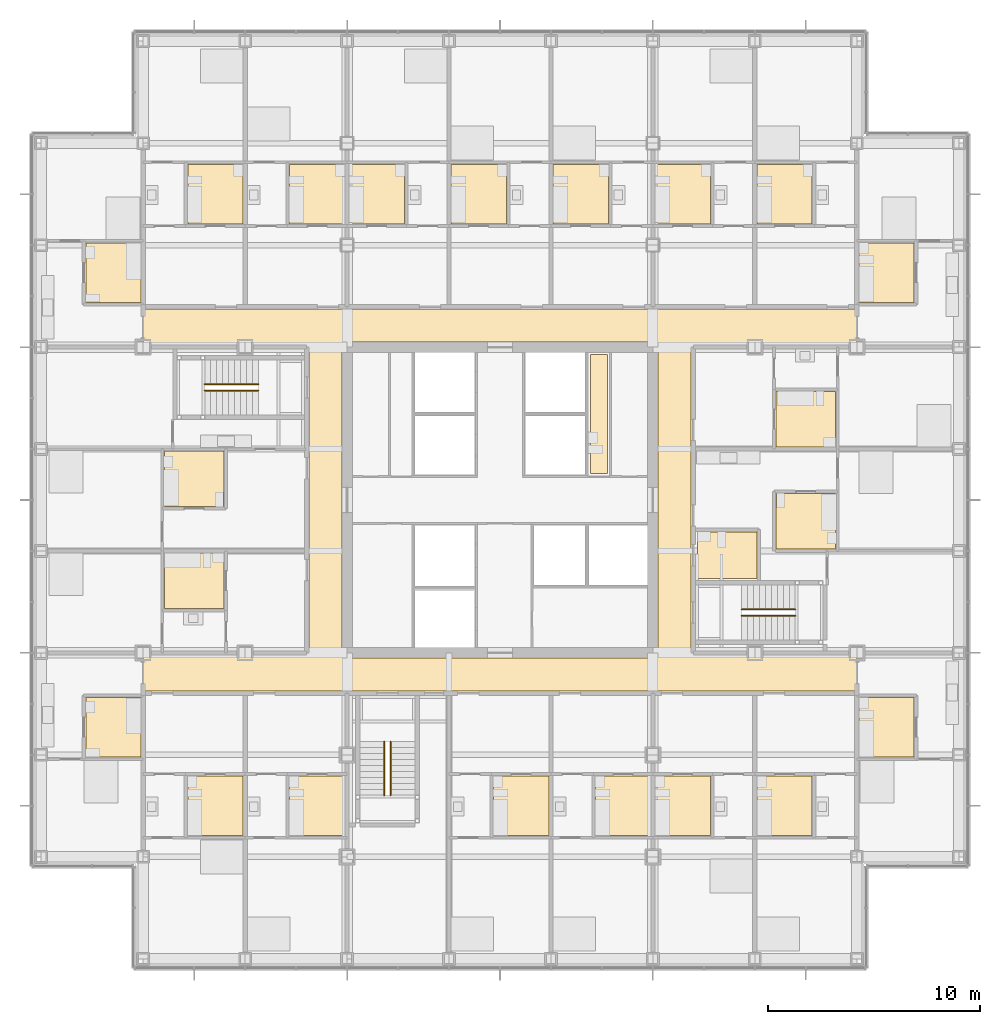
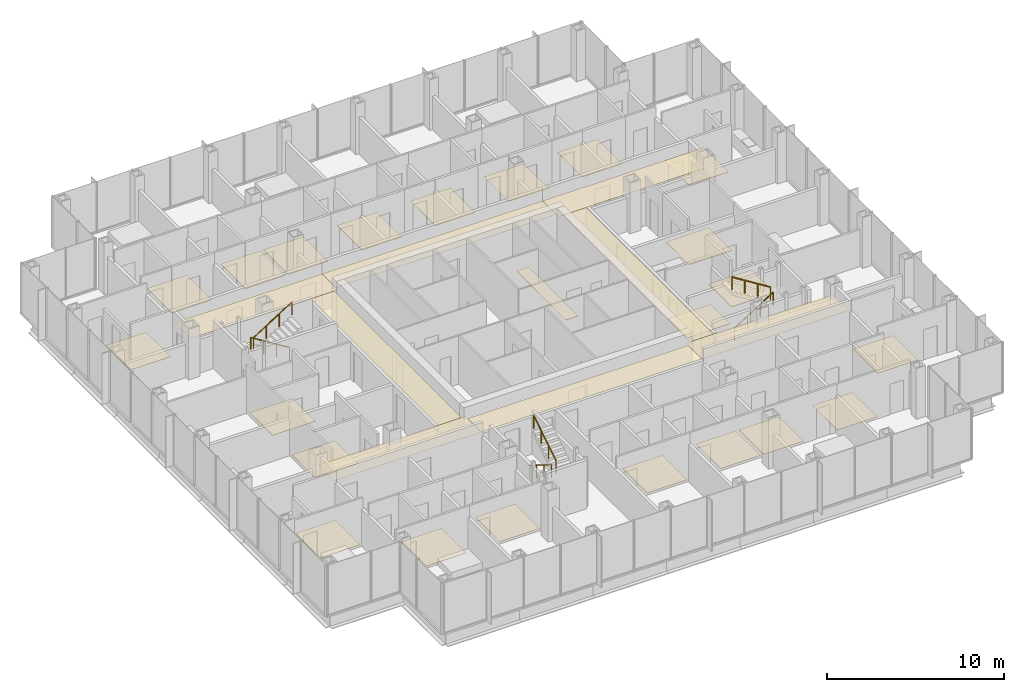
# One storey, part 20 of 22: 31 coverings, 6 railings.
"""IFC4 building model written with IfcOpenShell, lengths in metres."""

from ifc_helpers import new_model, si_unit, direction, frame, origin, origin_2d, place, context, subcontext, project, spatial, polyline, circle, outline, extrude, material, layer, layer_set, type_object, element, save


model = new_model("IFC4")

# Units and contexts
model_context = context("Model", 3, precision=1e-05, world=origin(), true_north=direction((0.0, 1.0)))
body_context = subcontext(model_context, "Body", "Model", "MODEL_VIEW")
ifc_project = project(units=[si_unit("LENGTHUNIT", "METRE"), si_unit("AREAUNIT", "SQUARE_METRE"), si_unit("VOLUMEUNIT", "CUBIC_METRE"), si_unit("PLANEANGLEUNIT", "RADIAN"), si_unit("MASSUNIT", "GRAM", prefix="KILO")], contexts=[model_context])

# Site, building, storey
site_placement = place(None, origin())
site = spatial("IfcSite", under=ifc_project, at=site_placement, CompositionType="ELEMENT")
building_placement = place(site_placement, origin())
building = spatial("IfcBuilding", under=site, at=building_placement, Name="Kvirike Care Tower", CompositionType="ELEMENT")
storey_placement = place(building_placement, frame((0.0, 0.0, 69.0)))
storey = spatial("IfcBuildingStorey", under=building, at=storey_placement, Name="L18", CompositionType="ELEMENT", Elevation=69.0)

# Coverings
ifc_material_1 = material(Name="Perforated metal ceiling tile", Category="aluminium")
ifc_layer_1 = layer(ifc_material_1, 0.014892578125)
ifc_layer_set_1 = layer_set([ifc_layer_1], Name="CORRIDOR CEILING 15")
covering_type_1 = type_object("IfcCoveringType", Name="CORRIDOR CEILING 15", PredefinedType="CEILING", material=ifc_layer_set_1)
covering_1_placement = place(storey_placement, frame((0.0, 0.0, 2.5)))
element("IfcCovering", 1, at=covering_1_placement, inside=storey, type_object=covering_type_1, Name="Corridor ceiling L18", PredefinedType="CEILING", context=body_context, shape_type="SweptSolid", body=[
    extrude(outline(polyline([(4.800048828125, 27.0), (4.800048828125, 28.800048828125), (14.39990234375, 28.800048828125), (14.39990234375, 27.0), (4.800048828125, 27.0)])), origin(), (0.0, 0.0, 1.0), 0.014892578125),
])
covering_2_placement = place(storey_placement, frame((0.0, 0.0, 2.5)))
element("IfcCovering", 2, at=covering_2_placement, inside=storey, type_object=covering_type_1, Name="Corridor ceiling L18", PredefinedType="CEILING", context=body_context, shape_type="SweptSolid", body=[
    extrude(outline(polyline([(12.60009765625, 43.199951171875), (14.14990234375, 43.199951171875), (14.14990234375, 28.800048828125), (12.60009765625, 28.800048828125), (12.60009765625, 43.199951171875)])), origin(), (0.0, 0.0, 1.0), 0.014892578125),
])
covering_3_placement = place(storey_placement, frame((0.0, 0.0, 2.5)))
element("IfcCovering", 3, at=covering_3_placement, inside=storey, type_object=covering_type_1, Name="Corridor ceiling L18", PredefinedType="CEILING", context=body_context, shape_type="SweptSolid", body=[
    extrude(outline(polyline([(14.39990234375, 45.0), (14.39990234375, 43.199951171875), (4.800048828125, 43.199951171875), (4.800048828125, 45.0), (14.39990234375, 45.0)])), origin(), (0.0, 0.0, 1.0), 0.014892578125),
])
covering_4_placement = place(storey_placement, frame((0.0, 0.0, 2.5)))
element("IfcCovering", 4, at=covering_4_placement, inside=storey, type_object=covering_type_1, Name="Corridor ceiling L18", PredefinedType="CEILING", context=body_context, shape_type="SweptSolid", body=[
    extrude(outline(polyline([(14.39990234375, 27.0), (14.39990234375, 28.550048828125), (28.800048828125, 28.550048828125), (28.800048828125, 27.0), (14.39990234375, 27.0)])), origin(), (0.0, 0.0, 1.0), 0.014892578125),
])
covering_5_placement = place(storey_placement, frame((0.0, 0.0, 2.5)))
element("IfcCovering", 5, at=covering_5_placement, inside=storey, type_object=covering_type_1, Name="Corridor ceiling L18", PredefinedType="CEILING", context=body_context, shape_type="SweptSolid", body=[
    extrude(outline(polyline([(28.800048828125, 45.0), (28.800048828125, 43.449951171875), (14.39990234375, 43.449951171875), (14.39990234375, 45.0), (28.800048828125, 45.0)])), origin(), (0.0, 0.0, 1.0), 0.014892578125),
])
covering_6_placement = place(storey_placement, frame((0.0, 0.0, 2.5)))
element("IfcCovering", 6, at=covering_6_placement, inside=storey, type_object=covering_type_1, Name="Corridor ceiling L18", PredefinedType="CEILING", context=body_context, shape_type="SweptSolid", body=[
    extrude(outline(polyline([(28.800048828125, 27.0), (28.800048828125, 28.800048828125), (38.39990234375, 28.800048828125), (38.39990234375, 27.0), (28.800048828125, 27.0)])), origin(), (0.0, 0.0, 1.0), 0.014892578125),
])
covering_7_placement = place(storey_placement, frame((0.0, 0.0, 2.5)))
element("IfcCovering", 7, at=covering_7_placement, inside=storey, type_object=covering_type_1, Name="Corridor ceiling L18", PredefinedType="CEILING", context=body_context, shape_type="SweptSolid", body=[
    extrude(outline(polyline([(30.60009765625, 28.800048828125), (29.050048828125, 28.800048828125), (29.050048828125, 43.199951171875), (30.60009765625, 43.199951171875), (30.60009765625, 28.800048828125)])), origin(), (0.0, 0.0, 1.0), 0.014892578125),
])
covering_8_placement = place(storey_placement, frame((0.0, 0.0, 2.5)))
element("IfcCovering", 8, at=covering_8_placement, inside=storey, type_object=covering_type_1, Name="Corridor ceiling L18", PredefinedType="CEILING", context=body_context, shape_type="SweptSolid", body=[
    extrude(outline(polyline([(38.39990234375, 45.0), (38.39990234375, 43.199951171875), (28.800048828125, 43.199951171875), (28.800048828125, 45.0), (38.39990234375, 45.0)])), origin(), (0.0, 0.0, 1.0), 0.014892578125),
])

# Railings
ifc_material_2 = material(Name="Stainless steel handrail", Category="steel")
railing_type = type_object("IfcRailingType", Name="STAIR HANDRAIL 900", PredefinedType="HANDRAIL", material=ifc_material_2)
railing_1_placement = place(storey_placement, frame((10.219970703125, 41.449951171875, 0.175048828125)))
element("IfcRailing", 9, at=railing_1_placement, inside=storey, type_object=railing_type, Name="Stair 1 handrail L18 flight 1", PredefinedType="HANDRAIL", context=body_context, shape_type="SweptSolid", body=[
    extrude(circle(Radius=0.02490234375, at=origin_2d()), frame((0.0, 0.0, 0.875), z_axis=(-0.848007534815, 0.0, 0.529984170421), x_axis=(0.0, -1.0, 0.0)), (0.0, 0.0, 1.0), 2.9716796875),
    extrude(circle(Radius=0.02001953125, at=origin_2d()), origin(), (0.0, 0.0, 1.0), 0.849853515625),
    extrude(circle(Radius=0.02001953125, at=origin_2d()), frame((-0.840087890625, 0.0, 0.52490234375)), (0.0, 0.0, 1.0), 0.849853515625),
    extrude(circle(Radius=0.02001953125, at=origin_2d()), frame((-1.679931640625, 0.0, 1.050048828125)), (0.0, 0.0, 1.0), 0.849853515625),
    extrude(circle(Radius=0.02001953125, at=origin_2d()), frame((-2.52001953125, 0.0, 1.574951171875)), (0.0, 0.0, 1.0), 0.849853515625),
])
for number, where, name in (
    (10, (7.699951171875, 41.14990234375, 1.925048828125), "Stair 1 handrail L18 flight 2"),
    (11, (32.97998046875, 30.550048828125, 0.175048828125), "Stair 2 handrail L18 flight 1"),
):
    element("IfcRailing", number, at=place(storey_placement, frame(where)), inside=storey, type_object=railing_type, Name=name, PredefinedType="HANDRAIL", context=body_context, shape_type="SweptSolid", body=[
        extrude(circle(Radius=0.02490234375, at=origin_2d()), frame((0.0, 0.0, 0.875), z_axis=(0.848007534815, 0.0, 0.529984170421), x_axis=(0.0, 1.0, 0.0)), (0.0, 0.0, 1.0), 2.9716796875),
        extrude(circle(Radius=0.02001953125, at=origin_2d()), origin(), (0.0, 0.0, 1.0), 0.849853515625),
        extrude(circle(Radius=0.02001953125, at=origin_2d()), frame((0.840087890625, 0.0, 0.52490234375)), (0.0, 0.0, 1.0), 0.849853515625),
        extrude(circle(Radius=0.02001953125, at=origin_2d()), frame((1.679931640625, 0.0, 1.050048828125)), (0.0, 0.0, 1.0), 0.849853515625),
        extrude(circle(Radius=0.02001953125, at=origin_2d()), frame((2.52001953125, 0.0, 1.574951171875)), (0.0, 0.0, 1.0), 0.849853515625),
    ])
railing_2_placement = place(storey_placement, frame((35.5, 30.85009765625, 1.925048828125)))
element("IfcRailing", 12, at=railing_2_placement, inside=storey, type_object=railing_type, Name="Stair 2 handrail L18 flight 2", PredefinedType="HANDRAIL", context=body_context, shape_type="SweptSolid", body=[
    extrude(circle(Radius=0.02490234375, at=origin_2d()), frame((0.0, 0.0, 0.875), z_axis=(-0.848007534815, 0.0, 0.529984170421), x_axis=(0.0, -1.0, 0.0)), (0.0, 0.0, 1.0), 2.9716796875),
    extrude(circle(Radius=0.02001953125, at=origin_2d()), origin(), (0.0, 0.0, 1.0), 0.849853515625),
    extrude(circle(Radius=0.02001953125, at=origin_2d()), frame((-0.840087890625, 0.0, 0.52490234375)), (0.0, 0.0, 1.0), 0.849853515625),
    extrude(circle(Radius=0.02001953125, at=origin_2d()), frame((-1.679931640625, 0.0, 1.050048828125)), (0.0, 0.0, 1.0), 0.849853515625),
    extrude(circle(Radius=0.02001953125, at=origin_2d()), frame((-2.52001953125, 0.0, 1.574951171875)), (0.0, 0.0, 1.0), 0.849853515625),
])
railing_3_placement = place(storey_placement, frame((16.14990234375, 24.6201171875, 0.175048828125)))
element("IfcRailing", 13, at=railing_3_placement, inside=storey, type_object=railing_type, Name="Stair 5 handrail L18 flight 1", PredefinedType="HANDRAIL", context=body_context, shape_type="SweptSolid", body=[
    extrude(circle(Radius=0.02490234375, at=origin_2d()), frame((0.0, 0.0, 0.875), z_axis=(0.0, -0.848007534815, 0.529984170421), x_axis=(1.0, 0.0, 0.0)), (0.0, 0.0, 1.0), 2.9716796875),
    extrude(circle(Radius=0.02001953125, at=origin_2d()), origin(), (0.0, 0.0, 1.0), 0.849853515625),
    extrude(circle(Radius=0.02001953125, at=origin_2d()), frame((0.0, -0.840087890625, 0.52490234375)), (0.0, 0.0, 1.0), 0.849853515625),
    extrude(circle(Radius=0.02001953125, at=origin_2d()), frame((0.0, -1.679931640625, 1.050048828125)), (0.0, 0.0, 1.0), 0.849853515625),
    extrude(circle(Radius=0.02001953125, at=origin_2d()), frame((0.0, -2.52001953125, 1.574951171875)), (0.0, 0.0, 1.0), 0.849853515625),
])
railing_4_placement = place(storey_placement, frame((16.449951171875, 22.10009765625, 1.925048828125)))
element("IfcRailing", 14, at=railing_4_placement, inside=storey, type_object=railing_type, Name="Stair 5 handrail L18 flight 2", PredefinedType="HANDRAIL", context=body_context, shape_type="SweptSolid", body=[
    extrude(circle(Radius=0.02490234375, at=origin_2d()), frame((0.0, 0.0, 0.875), z_axis=(0.0, 0.848007534815, 0.529984170421), x_axis=(-1.0, 0.0, 0.0)), (0.0, 0.0, 1.0), 2.9716796875),
    extrude(circle(Radius=0.02001953125, at=origin_2d()), origin(), (0.0, 0.0, 1.0), 0.849853515625),
    extrude(circle(Radius=0.02001953125, at=origin_2d()), frame((0.0, 0.840087890625, 0.52490234375)), (0.0, 0.0, 1.0), 0.849853515625),
    extrude(circle(Radius=0.02001953125, at=origin_2d()), frame((0.0, 1.679931640625, 1.050048828125)), (0.0, 0.0, 1.0), 0.849853515625),
    extrude(circle(Radius=0.02001953125, at=origin_2d()), frame((0.0, 2.52001953125, 1.574951171875)), (0.0, 0.0, 1.0), 0.849853515625),
])

# Coverings
ifc_material_3 = material(Name="Slip-resistant vinyl safety flooring on screed")
ifc_layer_2 = layer(ifc_material_3, 0.02001953125)
ifc_layer_set_2 = layer_set([ifc_layer_2], Name="WET ROOM FLOOR 20")
covering_type_2 = type_object("IfcCoveringType", Name="WET ROOM FLOOR 20", PredefinedType="FLOORING", material=ifc_layer_set_2)
covering_9_placement = place(storey_placement, origin())
element("IfcCovering", 15, at=covering_9_placement, inside=storey, type_object=covering_type_2, Name="Bathroom floor L18-003", PredefinedType="FLOORING", context=body_context, shape_type="SweptSolid", body=[
    extrude(outline(polyline([(2.10009765625, 23.89990234375), (2.10009765625, 26.699951171875), (4.699951171875, 26.699951171875), (4.699951171875, 23.89990234375), (2.10009765625, 23.89990234375)])), origin(), (0.0, 0.0, 1.0), 0.02001953125),
])
covering_10_placement = place(storey_placement, origin())
element("IfcCovering", 16, at=covering_10_placement, inside=storey, type_object=covering_type_2, Name="Bathroom floor L18-006", PredefinedType="FLOORING", context=body_context, shape_type="SweptSolid", body=[
    extrude(outline(polyline([(6.89990234375, 20.199951171875), (6.89990234375, 23.0), (9.5, 23.0), (9.5, 20.199951171875), (6.89990234375, 20.199951171875)])), origin(), (0.0, 0.0, 1.0), 0.02001953125),
])
covering_11_placement = place(storey_placement, origin())
element("IfcCovering", 17, at=covering_11_placement, inside=storey, type_object=covering_type_2, Name="Bathroom floor L18-010", PredefinedType="FLOORING", context=body_context, shape_type="SweptSolid", body=[
    extrude(outline(polyline([(11.699951171875, 20.199951171875), (11.699951171875, 23.0), (14.300048828125, 23.0), (14.300048828125, 20.199951171875), (11.699951171875, 20.199951171875)])), origin(), (0.0, 0.0, 1.0), 0.02001953125),
])
covering_12_placement = place(storey_placement, origin())
element("IfcCovering", 18, at=covering_12_placement, inside=storey, type_object=covering_type_2, Name="Bathroom floor L18-017", PredefinedType="FLOORING", context=body_context, shape_type="SweptSolid", body=[
    extrude(outline(polyline([(5.800048828125, 38.300048828125), (8.60009765625, 38.300048828125), (8.60009765625, 35.699951171875), (5.800048828125, 35.699951171875), (5.800048828125, 38.300048828125)])), origin(), (0.0, 0.0, 1.0), 0.02001953125),
])
covering_13_placement = place(storey_placement, origin())
element("IfcCovering", 19, at=covering_13_placement, inside=storey, type_object=covering_type_2, Name="Bathroom floor L18-021", PredefinedType="FLOORING", context=body_context, shape_type="SweptSolid", body=[
    extrude(outline(polyline([(5.800048828125, 33.5), (8.60009765625, 33.5), (8.60009765625, 30.89990234375), (5.800048828125, 30.89990234375), (5.800048828125, 33.5)])), origin(), (0.0, 0.0, 1.0), 0.02001953125),
])
covering_14_placement = place(storey_placement, origin())
element("IfcCovering", 20, at=covering_14_placement, inside=storey, type_object=covering_type_2, Name="Bathroom floor L18-026", PredefinedType="FLOORING", context=body_context, shape_type="SweptSolid", body=[
    extrude(outline(polyline([(14.300048828125, 51.800048828125), (14.300048828125, 49.0), (11.699951171875, 49.0), (11.699951171875, 51.800048828125), (14.300048828125, 51.800048828125)])), origin(), (0.0, 0.0, 1.0), 0.02001953125),
])
covering_15_placement = place(storey_placement, origin())
element("IfcCovering", 21, at=covering_15_placement, inside=storey, type_object=covering_type_2, Name="Bathroom floor L18-030", PredefinedType="FLOORING", context=body_context, shape_type="SweptSolid", body=[
    extrude(outline(polyline([(9.5, 51.800048828125), (9.5, 49.0), (6.89990234375, 49.0), (6.89990234375, 51.800048828125), (9.5, 51.800048828125)])), origin(), (0.0, 0.0, 1.0), 0.02001953125),
])
covering_16_placement = place(storey_placement, origin())
element("IfcCovering", 22, at=covering_16_placement, inside=storey, type_object=covering_type_2, Name="Bathroom floor L18-034", PredefinedType="FLOORING", context=body_context, shape_type="SweptSolid", body=[
    extrude(outline(polyline([(4.699951171875, 48.10009765625), (4.699951171875, 45.300048828125), (2.10009765625, 45.300048828125), (2.10009765625, 48.10009765625), (4.699951171875, 48.10009765625)])), origin(), (0.0, 0.0, 1.0), 0.02001953125),
])
covering_17_placement = place(storey_placement, origin())
element("IfcCovering", 23, at=covering_17_placement, inside=storey, type_object=covering_type_2, Name="Bathroom floor L18-040", PredefinedType="FLOORING", context=body_context, shape_type="SweptSolid", body=[
    extrude(outline(polyline([(21.300048828125, 20.199951171875), (21.300048828125, 23.0), (23.89990234375, 23.0), (23.89990234375, 20.199951171875), (21.300048828125, 20.199951171875)])), origin(), (0.0, 0.0, 1.0), 0.02001953125),
])
covering_18_placement = place(storey_placement, origin())
element("IfcCovering", 24, at=covering_18_placement, inside=storey, type_object=covering_type_2, Name="Bathroom floor L18-044", PredefinedType="FLOORING", context=body_context, shape_type="SweptSolid", body=[
    extrude(outline(polyline([(26.10009765625, 20.199951171875), (26.10009765625, 23.0), (28.699951171875, 23.0), (28.699951171875, 20.199951171875), (26.10009765625, 20.199951171875)])), origin(), (0.0, 0.0, 1.0), 0.02001953125),
])
covering_19_placement = place(storey_placement, origin())
element("IfcCovering", 25, at=covering_19_placement, inside=storey, type_object=covering_type_2, Name="Bathroom floor L18-049", PredefinedType="FLOORING", context=body_context, shape_type="SweptSolid", body=[
    extrude(outline(polyline([(26.699951171875, 51.800048828125), (26.699951171875, 49.0), (24.10009765625, 49.0), (24.10009765625, 51.800048828125), (26.699951171875, 51.800048828125)])), origin(), (0.0, 0.0, 1.0), 0.02001953125),
])
covering_20_placement = place(storey_placement, origin())
element("IfcCovering", 26, at=covering_20_placement, inside=storey, type_object=covering_type_2, Name="Bathroom floor L18-053", PredefinedType="FLOORING", context=body_context, shape_type="SweptSolid", body=[
    extrude(outline(polyline([(21.89990234375, 51.800048828125), (21.89990234375, 49.0), (19.300048828125, 49.0), (19.300048828125, 51.800048828125), (21.89990234375, 51.800048828125)])), origin(), (0.0, 0.0, 1.0), 0.02001953125),
])
covering_21_placement = place(storey_placement, origin())
element("IfcCovering", 27, at=covering_21_placement, inside=storey, type_object=covering_type_2, Name="Bathroom floor L18-057", PredefinedType="FLOORING", context=body_context, shape_type="SweptSolid", body=[
    extrude(outline(polyline([(17.10009765625, 51.800048828125), (17.10009765625, 49.0), (14.5, 49.0), (14.5, 51.800048828125), (17.10009765625, 51.800048828125)])), origin(), (0.0, 0.0, 1.0), 0.02001953125),
])
covering_22_placement = place(storey_placement, origin())
element("IfcCovering", 28, at=covering_22_placement, inside=storey, type_object=covering_type_2, Name="Bathroom floor L18-062", PredefinedType="FLOORING", context=body_context, shape_type="SweptSolid", body=[
    extrude(outline(polyline([(28.89990234375, 20.199951171875), (28.89990234375, 23.0), (31.5, 23.0), (31.5, 20.199951171875), (28.89990234375, 20.199951171875)])), origin(), (0.0, 0.0, 1.0), 0.02001953125),
])
covering_23_placement = place(storey_placement, origin())
element("IfcCovering", 29, at=covering_23_placement, inside=storey, type_object=covering_type_2, Name="Bathroom floor L18-066", PredefinedType="FLOORING", context=body_context, shape_type="SweptSolid", body=[
    extrude(outline(polyline([(33.699951171875, 20.199951171875), (33.699951171875, 23.0), (36.300048828125, 23.0), (36.300048828125, 20.199951171875), (33.699951171875, 20.199951171875)])), origin(), (0.0, 0.0, 1.0), 0.02001953125),
])
covering_24_placement = place(storey_placement, origin())
element("IfcCovering", 30, at=covering_24_placement, inside=storey, type_object=covering_type_2, Name="Bathroom floor L18-070", PredefinedType="FLOORING", context=body_context, shape_type="SweptSolid", body=[
    extrude(outline(polyline([(38.5, 23.89990234375), (38.5, 26.699951171875), (41.10009765625, 26.699951171875), (41.10009765625, 23.89990234375), (38.5, 23.89990234375)])), origin(), (0.0, 0.0, 1.0), 0.02001953125),
])
covering_25_placement = place(storey_placement, origin())
element("IfcCovering", 31, at=covering_25_placement, inside=storey, type_object=covering_type_2, Name="Accessible WC floor L18-076", PredefinedType="FLOORING", context=body_context, shape_type="SweptSolid", body=[
    extrude(outline(polyline([(33.699951171875, 32.300048828125), (30.89990234375, 32.300048828125), (30.89990234375, 34.5), (33.699951171875, 34.5), (33.699951171875, 32.300048828125)])), origin(), (0.0, 0.0, 1.0), 0.02001953125),
])
covering_26_placement = place(storey_placement, origin())
element("IfcCovering", 32, at=covering_26_placement, inside=storey, type_object=covering_type_2, Name="Bathroom floor L18-077", PredefinedType="FLOORING", context=body_context, shape_type="SweptSolid", body=[
    extrude(outline(polyline([(37.39990234375, 33.699951171875), (34.60009765625, 33.699951171875), (34.60009765625, 36.300048828125), (37.39990234375, 36.300048828125), (37.39990234375, 33.699951171875)])), origin(), (0.0, 0.0, 1.0), 0.02001953125),
])
covering_27_placement = place(storey_placement, origin())
element("IfcCovering", 33, at=covering_27_placement, inside=storey, type_object=covering_type_2, Name="Bathroom floor L18-080", PredefinedType="FLOORING", context=body_context, shape_type="SweptSolid", body=[
    extrude(outline(polyline([(37.39990234375, 38.5), (34.60009765625, 38.5), (34.60009765625, 41.10009765625), (37.39990234375, 41.10009765625), (37.39990234375, 38.5)])), origin(), (0.0, 0.0, 1.0), 0.02001953125),
])
covering_28_placement = place(storey_placement, origin())
element("IfcCovering", 34, at=covering_28_placement, inside=storey, type_object=covering_type_2, Name="Bathroom floor L18-085", PredefinedType="FLOORING", context=body_context, shape_type="SweptSolid", body=[
    extrude(outline(polyline([(41.10009765625, 48.10009765625), (41.10009765625, 45.300048828125), (38.5, 45.300048828125), (38.5, 48.10009765625), (41.10009765625, 48.10009765625)])), origin(), (0.0, 0.0, 1.0), 0.02001953125),
])
covering_29_placement = place(storey_placement, origin())
element("IfcCovering", 35, at=covering_29_placement, inside=storey, type_object=covering_type_2, Name="Bathroom floor L18-088", PredefinedType="FLOORING", context=body_context, shape_type="SweptSolid", body=[
    extrude(outline(polyline([(36.300048828125, 51.800048828125), (36.300048828125, 49.0), (33.699951171875, 49.0), (33.699951171875, 51.800048828125), (36.300048828125, 51.800048828125)])), origin(), (0.0, 0.0, 1.0), 0.02001953125),
])
covering_30_placement = place(storey_placement, origin())
element("IfcCovering", 36, at=covering_30_placement, inside=storey, type_object=covering_type_2, Name="Bathroom floor L18-092", PredefinedType="FLOORING", context=body_context, shape_type="SweptSolid", body=[
    extrude(outline(polyline([(31.5, 51.800048828125), (31.5, 49.0), (28.89990234375, 49.0), (28.89990234375, 51.800048828125), (31.5, 51.800048828125)])), origin(), (0.0, 0.0, 1.0), 0.02001953125),
])
covering_31_placement = place(storey_placement, origin())
element("IfcCovering", 37, at=covering_31_placement, inside=storey, type_object=covering_type_2, Name="Staff WC floor L18-102", PredefinedType="FLOORING", context=body_context, shape_type="SweptSolid", body=[
    extrude(outline(polyline([(26.64990234375, 37.25), (25.85009765625, 37.25), (25.85009765625, 42.85009765625), (26.64990234375, 42.85009765625), (26.64990234375, 37.25)])), origin(), (0.0, 0.0, 1.0), 0.02001953125),
])

save(model, "model.ifc")
